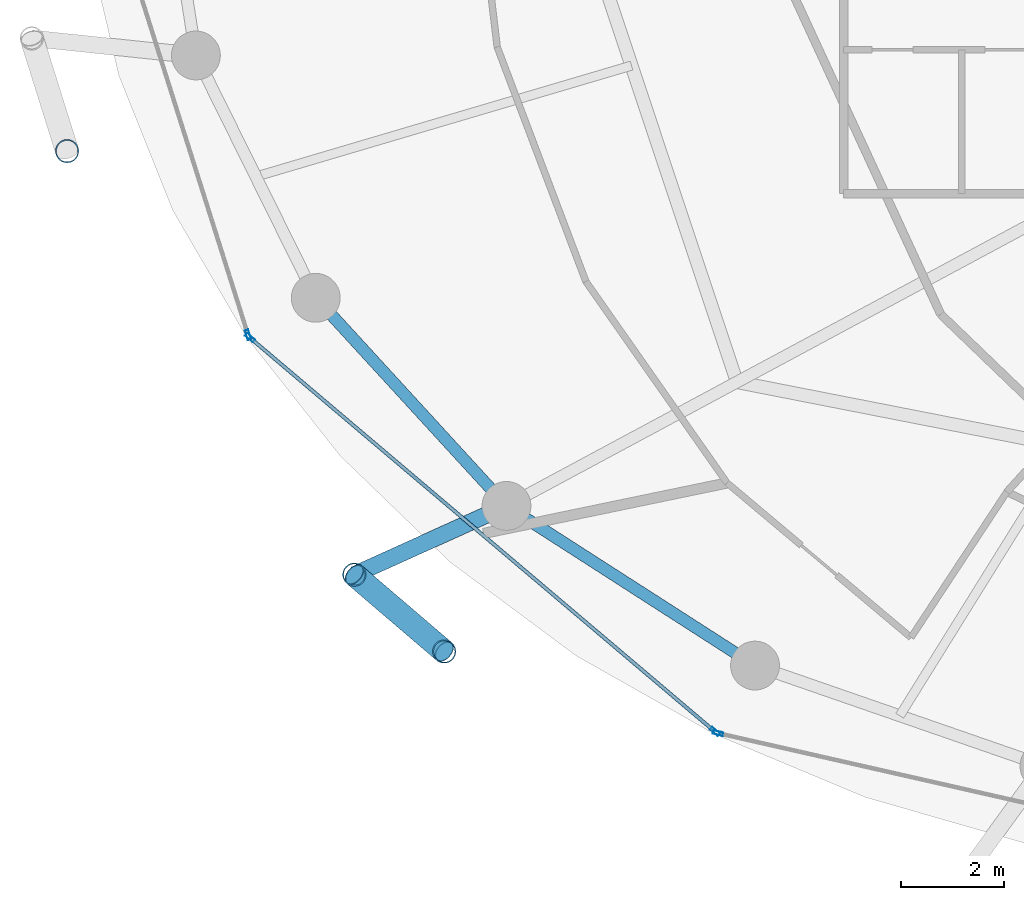
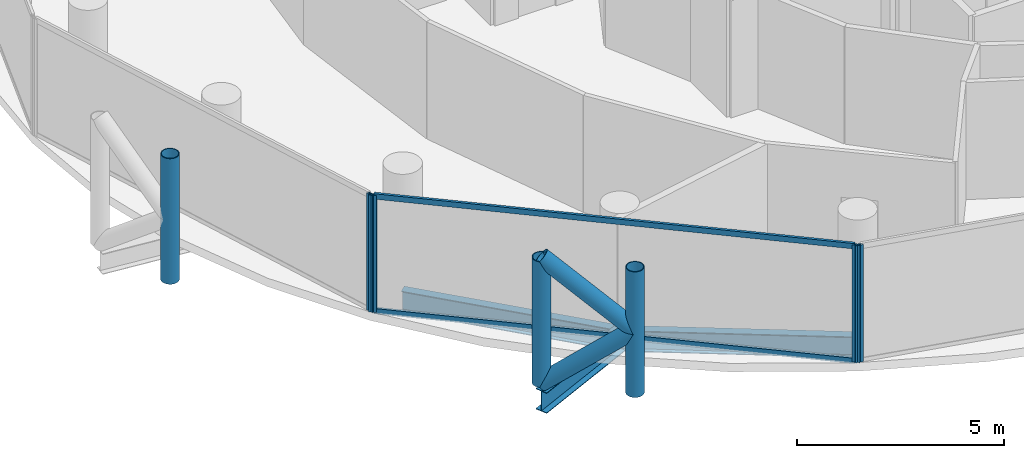
# One storey, part 2 of 26: 11 members, 3 beams, 3 elements without a shape of their own.
"""IFC4 building model written with IfcOpenShell, lengths in metres."""

import ifcopenshell
import ifcopenshell.guid

model = None  # the IFC model being written
_history = None  # IfcOwnerHistory: only IFC2X3 demands one
_inside = {}  # id of a spatial element -> (the spatial element, [elements in it])
_under = {}  # id of a project, library or spatial element -> (it, [spatial elements below it])
_declared = {}  # id of a project -> (the project, [libraries it declares])
_typed = {}  # id of a type object -> (the type object, [elements of that type])
_made_of = {}  # id of a material, layer set ... -> (it, [elements and type objects made of it])


def new_model(schema):
    """Start an empty IFC model of exactly this schema.

    Asked for "IFC4X3", IfcOpenShell would pick the latest addendum, in which some entities
    have other attributes; the version numbers below select the first issue.
    IFC2X3 requires an IfcOwnerHistory on every rooted entity: one is made here for all.
    """
    global model, _history
    if schema == "IFC4X3":
        model = ifcopenshell.file(schema_version=(4, 3, 0, 0))
    else:
        model = ifcopenshell.file(schema=schema)
    _inside.clear()
    _under.clear()
    _declared.clear()
    _typed.clear()
    _made_of.clear()
    _history = None
    if model.schema == "IFC2X3":
        org = make("IfcOrganization", Name="unknown")
        user = make(
            "IfcPersonAndOrganization",
            ThePerson=make("IfcPerson", FamilyName="unknown"),
            TheOrganization=org,
        )
        app = make(
            "IfcApplication",
            ApplicationDeveloper=org,
            Version="unknown",
            ApplicationFullName="unknown",
            ApplicationIdentifier="unknown",
        )
        _history = make(
            "IfcOwnerHistory",
            OwningUser=user,
            OwningApplication=app,
            ChangeAction="ADDED",
            CreationDate=0,
        )
    return model


def make(cls, **values):
    """One entity of the class cls with the attributes given. An attribute that is None is left unset."""
    return model.create_entity(
        cls, **{name: value for name, value in values.items() if value is not None}
    )


def rooted(cls, **values):
    """An entity with a GlobalId (a new one), such as an element, a storey or a relation."""
    return make(cls, GlobalId=ifcopenshell.guid.new(), OwnerHistory=_history, **values)


def si_unit(unit_type, name, prefix=None):
    """IfcSIUnit, for example si_unit("LENGTHUNIT", "METRE", prefix="MILLI")."""
    return make("IfcSIUnit", UnitType=unit_type, Prefix=prefix, Name=name)


def assignment(units):
    """IfcUnitAssignment: the units of a project."""
    return None if units is None else make("IfcUnitAssignment", Units=units)


def point(xyz):
    """IfcCartesianPoint."""
    return None if xyz is None else make("IfcCartesianPoint", Coordinates=xyz)


def direction(xyz):
    """IfcDirection."""
    return None if xyz is None else make("IfcDirection", DirectionRatios=xyz)


def frame(location, z_axis=None, x_axis=None):
    """IfcAxis2Placement3D, a coordinate frame: its origin and axes. An axis left out is left unset."""
    return make(
        "IfcAxis2Placement3D",
        Location=point(location),
        Axis=direction(z_axis),
        RefDirection=direction(x_axis),
    )


def frame_2d(location, x_axis=None):
    """IfcAxis2Placement2D, a coordinate frame in the plane: its origin and x axis."""
    return make(
        "IfcAxis2Placement2D", Location=point(location), RefDirection=direction(x_axis)
    )


def origin():
    """The frame at (0, 0, 0) with its axes left unset."""
    return frame((0.0, 0.0, 0.0))


def origin_2d():
    """The frame at (0, 0) in the plane with its x axis left unset."""
    return frame_2d((0.0, 0.0))


def place(relative_to, where):
    """IfcLocalPlacement: puts the frame where relative to a parent placement (None: the world)."""
    return make(
        "IfcLocalPlacement", PlacementRelTo=relative_to, RelativePlacement=where
    )


def context(
    kind, dimensions, precision=None, world=None, true_north=None, identifier=None
):
    """IfcGeometricRepresentationContext, for example the 3D "Model" context."""
    return make(
        "IfcGeometricRepresentationContext",
        ContextIdentifier=identifier,
        ContextType=kind,
        CoordinateSpaceDimension=dimensions,
        Precision=precision,
        WorldCoordinateSystem=world,
        TrueNorth=true_north,
    )


def subcontext(parent, identifier, kind, view, scale=None):
    """IfcGeometricRepresentationSubContext, for example "Body" below "Model"."""
    return make(
        "IfcGeometricRepresentationSubContext",
        ContextIdentifier=identifier,
        ContextType=kind,
        ParentContext=parent,
        TargetScale=scale,
        TargetView=view,
    )


def project(units=None, contexts=None):
    """IfcProject with its units and contexts."""
    return rooted(
        "IfcProject",
        Name="project",
        RepresentationContexts=contexts,
        UnitsInContext=assignment(units),
    )


def spatial(cls, under=None, at=None, **own):
    """A site, building, storey or space (cls), placed at a placement, below another one or the project."""
    s = rooted(cls, ObjectPlacement=at, **own)
    if under is not None:
        _under.setdefault(under.id(), (under, []))[1].append(s)
    return s


def profile(cls, at=None, kind="AREA", **sizes):
    """A parametric profile (cls). Its sizes go by their IFC names, for example OverallWidth=200.0."""
    return make(cls, ProfileType=kind, Position=at, **sizes)


def hollow_rectangle(**sizes):
    """IfcRectangleHollowProfileDef."""
    return profile("IfcRectangleHollowProfileDef", **sizes)


def hollow_circle(**sizes):
    """IfcCircleHollowProfileDef."""
    return profile("IfcCircleHollowProfileDef", **sizes)


def i_section(**sizes):
    """IfcIShapeProfileDef."""
    return profile("IfcIShapeProfileDef", **sizes)


def extrude(swept, where, along, depth):
    """IfcExtrudedAreaSolid: the profile swept, set in the frame where, extruded along a direction by depth."""
    return make(
        "IfcExtrudedAreaSolid",
        SweptArea=swept,
        Position=where,
        ExtrudedDirection=direction(along),
        Depth=depth,
    )


def shape(context_of_items, identifier, shape_type, items):
    """IfcShapeRepresentation: the items that make up one representation, for example the "Body"."""
    return make(
        "IfcShapeRepresentation",
        ContextOfItems=context_of_items,
        RepresentationIdentifier=identifier,
        RepresentationType=shape_type,
        Items=items,
    )


def material(Name=None, Category=None):
    """IfcMaterial."""
    return make("IfcMaterial", Name=Name, Category=Category)


def layer(
    of_material, thickness, ventilated=None, Name=None, Category=None, Priority=None
):
    """IfcMaterialLayer: one layer of a wall or slab, of a material (None: an air gap)."""
    return make(
        "IfcMaterialLayer",
        Material=of_material,
        LayerThickness=thickness,
        IsVentilated=ventilated,
        Name=Name,
        Category=Category,
        Priority=Priority,
    )


def layer_set(layers, Name=None):
    """IfcMaterialLayerSet."""
    return make("IfcMaterialLayerSet", MaterialLayers=layers, LayerSetName=Name)


def material_profile(
    of_material, cross_section, Name=None, Category=None, Priority=None
):
    """IfcMaterialProfile: a cross section and its material."""
    return make(
        "IfcMaterialProfile",
        Name=Name,
        Material=of_material,
        Profile=cross_section,
        Priority=Priority,
        Category=Category,
    )


def profile_set(profiles, Name=None, composite=None):
    """IfcMaterialProfileSet."""
    return make(
        "IfcMaterialProfileSet",
        Name=Name,
        MaterialProfiles=profiles,
        CompositeProfile=composite,
    )


def made_of(thing, what):
    """Note that an element or type object is made of a material, layer set ...; save() writes the relation."""
    if what is not None:
        _made_of.setdefault(what.id(), (what, []))[1].append(thing)
    return thing


def type_object(cls, material=None, **own):
    """A type object (cls), such as IfcWallType, which elements share."""
    return made_of(rooted(cls, **own), material)


def element(
    cls,
    number,
    at=None,
    inside=None,
    cuts=None,
    type_object=None,
    material=None,
    context=None,
    identifier="Body",
    shape_type=None,
    held_by="IfcProductDefinitionShape",
    body=None,
    shapes=None,
    **own,
):
    """One element of the class cls, such as IfcWall. Its Tag is "e" and its number.

    at: its placement. inside: the storey or other place that contains it. cuts: it is an
    opening in that element (IfcRelVoidsElement). A single representation is given by context,
    identifier, shape_type and body (its items); several are given by shapes. held_by: the class
    of the entity that holds the representations. save() writes the other relations.
    """
    e = rooted(cls, Tag="e%d" % number, ObjectPlacement=at, **own)
    if body is not None:
        shapes = [shape(context, identifier, shape_type, body)]
    if shapes is not None:
        e.Representation = make(held_by, Representations=shapes)
    if inside is not None:
        _inside.setdefault(inside.id(), (inside, []))[1].append(e)
    if cuts is not None:
        rooted(
            "IfcRelVoidsElement", RelatingBuildingElement=cuts, RelatedOpeningElement=e
        )
    if type_object is not None:
        _typed.setdefault(type_object.id(), (type_object, []))[1].append(e)
    return made_of(e, material)


def aggregate(whole, parts):
    """IfcRelAggregates: a whole, such as a stair, and the parts it consists of."""
    return rooted("IfcRelAggregates", RelatingObject=whole, RelatedObjects=parts)


def save(model, path):
    """Write the relations noted so far, then the file.

    IfcRelAggregates (storeys below a building ...), IfcRelContainedInSpatialStructure (elements
    in a storey), IfcRelDefinesByType, IfcRelAssociatesMaterial and IfcRelDeclares: one each for
    every whole, place, type object, material and project.
    """
    for whole, parts in _under.values():
        aggregate(whole, parts)
    for where, things in _inside.values():
        rooted(
            "IfcRelContainedInSpatialStructure",
            RelatedElements=things,
            RelatingStructure=where,
        )
    for kind, things in _typed.values():
        rooted("IfcRelDefinesByType", RelatedObjects=things, RelatingType=kind)
    for what, things in _made_of.values():
        rooted("IfcRelAssociatesMaterial", RelatedObjects=things, RelatingMaterial=what)
    for by, libraries in _declared.values():
        rooted("IfcRelDeclares", RelatingContext=by, RelatedDefinitions=libraries)
    model.write(path)


model = new_model("IFC4")

# Units and contexts
model_context = context("Model", 3, precision=1e-05, world=origin(), true_north=direction((0.0, 1.0)))
body_context = subcontext(model_context, "Body", "Model", "MODEL_VIEW")
ifc_project = project(units=[si_unit("LENGTHUNIT", "METRE"), si_unit("AREAUNIT", "SQUARE_METRE"), si_unit("VOLUMEUNIT", "CUBIC_METRE"), si_unit("PLANEANGLEUNIT", "RADIAN"), si_unit("MASSUNIT", "GRAM", prefix="KILO")], contexts=[model_context])

# Site, building, storey
site_placement = place(None, origin())
site = spatial("IfcSite", under=ifc_project, at=site_placement, CompositionType="ELEMENT")
building_placement = place(site_placement, origin())
building = spatial("IfcBuilding", under=site, at=building_placement, Name="Nuhasar Tower", CompositionType="ELEMENT")
storey_placement = place(building_placement, frame((0.0, 0.0, 166.35009765625)))
storey = spatial("IfcBuildingStorey", under=building, at=storey_placement, Name="L40", CompositionType="ELEMENT", Elevation=166.35009765625)

# Beams
ifc_material_1 = material(Name="Steel S355", Category="steel")
ifc_material_profile_1 = material_profile(ifc_material_1, i_section(OverallWidth=0.22998046875, OverallDepth=0.616943359375, WebThickness=0.01318359375, FlangeThickness=0.022216796875, at=origin_2d()), Name="W24X94")
ifc_profile_set_1 = profile_set([ifc_material_profile_1], Name="Steel S355")
beam_type_1 = type_object("IfcBeamType", Name="BM-RING-W24X94", PredefinedType="SPANDREL", material=ifc_profile_set_1)
beam_1_placement = place(storey_placement, frame((18.778076171875, 17.02490234375, -0.55908203125), z_axis=(0.675676316545, -0.737198423262, 0.0), x_axis=(0.737198423262, 0.675676316545, 0.0)))
element("IfcBeam", 1, at=beam_1_placement, inside=storey, type_object=beam_type_1, Name="L40 Perimeter Ring Spandrel 15", PredefinedType="SPANDREL", context=body_context, shape_type="SweptSolid", body=[
    extrude(i_section(OverallWidth=0.22998046875, OverallDepth=0.616943359375, WebThickness=0.01318359375, FlangeThickness=0.022216796875, at=origin_2d()), origin(), (0.0, 0.0, 1.0), 5.4921875),
])
beam_2_placement = place(storey_placement, frame((22.489013671875, 12.97607421875, -0.55908203125), z_axis=(0.841308170616, -0.540555789955, 0.0), x_axis=(0.540555789955, 0.841308170616, 0.0)))
element("IfcBeam", 2, at=beam_2_placement, inside=storey, type_object=beam_type_1, Name="L40 Perimeter Ring Spandrel 16", PredefinedType="SPANDREL", context=body_context, shape_type="SweptSolid", body=[
    extrude(i_section(OverallWidth=0.22998046875, OverallDepth=0.616943359375, WebThickness=0.01318359375, FlangeThickness=0.022216796875, at=origin_2d()), origin(), (0.0, 0.0, 1.0), 5.748046875),
])
ifc_material_profile_2 = material_profile(ifc_material_1, i_section(OverallWidth=0.323974609375, OverallDepth=0.611083984375, WebThickness=0.0126953125, FlangeThickness=0.01904296875, at=origin_2d()), Name="W24X104")
ifc_profile_set_2 = profile_set([ifc_material_profile_2], Name="Steel S355")
beam_type_2 = type_object("IfcBeamType", Name="BM-TIE-W24X104", PredefinedType="BEAM", material=ifc_profile_set_2)
beam_3_placement = place(storey_placement, frame((22.489013671875, 12.97607421875, -0.55615234375), z_axis=(-0.911211381786, -0.411939094653, 0.0), x_axis=(0.411939094653, -0.911211381786, 0.0)))
element("IfcBeam", 3, at=beam_3_placement, inside=storey, type_object=beam_type_2, Name="L40 Exoskeleton Node Tie Beam 08", PredefinedType="BEAM", context=body_context, shape_type="SweptSolid", body=[
    extrude(i_section(OverallWidth=0.323974609375, OverallDepth=0.611083984375, WebThickness=0.0126953125, FlangeThickness=0.01904296875, at=origin_2d()), origin(), (0.0, 0.0, 1.0), 3.248291015625),
])

# Curtain wall, member
ifc_material_2 = material(Name="Aluminium 6063-T6", Category="aluminium")
ifc_layer = layer(ifc_material_2, 0.199951171875)
ifc_layer_set = layer_set([ifc_layer], Name="Aluminium 6063-T6")
curtain_wall_type = type_object("IfcCurtainWallType", Name="CW-Z2-HTL", PredefinedType="NOTDEFINED", material=ifc_layer_set)
curtain_wall_1_placement = place(storey_placement, origin())
curtain_wall_1 = element("IfcCurtainWall", 4, at=curtain_wall_1_placement, inside=storey, type_object=curtain_wall_type, Name="L40 Unitised Curtain Wall 07", PredefinedType="NOTDEFINED")
ifc_material_profile_3 = material_profile(ifc_material_2, hollow_rectangle(XDim=0.070068359375, YDim=0.199951171875, WallThickness=0.0048828125, at=origin_2d()), Name="CWM-3")
ifc_profile_set_3 = profile_set([ifc_material_profile_3], Name="Aluminium 6063-T6")
member_type_1 = type_object("IfcMemberType", Name="CW-MUL-S3", PredefinedType="MULLION", material=ifc_profile_set_3)
member_1_placement = place(storey_placement, frame((17.46044921875, 16.303466796875, 0.0), z_axis=(0.0, 0.0, 1.0), x_axis=(0.953433389233, 0.301603667577, 0.0)))
member_1 = element("IfcMember", 5, at=member_1_placement, type_object=member_type_1, Name="CW-Z2 mullion 2", PredefinedType="MULLION", context=body_context, shape_type="SweptSolid", body=[
    extrude(hollow_rectangle(XDim=0.070068359375, YDim=0.199951171875, WallThickness=0.0048828125, at=origin_2d()), origin(), (0.0, 0.0, 1.0), 3.449951171875),
])
aggregate(curtain_wall_1, [member_1])

# Curtain wall, members
curtain_wall_2_placement = place(storey_placement, origin())
curtain_wall_2 = element("IfcCurtainWall", 6, at=curtain_wall_2_placement, inside=storey, type_object=curtain_wall_type, Name="L40 Unitised Curtain Wall 08", PredefinedType="NOTDEFINED")
member_2_placement = place(storey_placement, frame((17.497802734375, 16.247314453125, 0.0), z_axis=(0.0, 0.0, 1.0), x_axis=(0.646374438324, 0.763020370292, 0.0)))
member_2 = element("IfcMember", 7, at=member_2_placement, type_object=member_type_1, Name="CW-Z2 mullion 1", PredefinedType="MULLION", context=body_context, shape_type="SweptSolid", body=[
    extrude(hollow_rectangle(XDim=0.070068359375, YDim=0.199951171875, WallThickness=0.0048828125, at=origin_2d()), origin(), (0.0, 0.0, 1.0), 3.449951171875),
])
member_3_placement = place(storey_placement, frame((26.543212890625, 8.584716796875, 0.0), z_axis=(0.0, 0.0, 1.0), x_axis=(0.646374438324, 0.763020370292, 0.0)))
member_3 = element("IfcMember", 8, at=member_3_placement, type_object=member_type_1, Name="CW-Z2 mullion 2", PredefinedType="MULLION", context=body_context, shape_type="SweptSolid", body=[
    extrude(hollow_rectangle(XDim=0.070068359375, YDim=0.199951171875, WallThickness=0.0048828125, at=origin_2d()), origin(), (0.0, 0.0, 1.0), 3.449951171875),
])

# Curtain wall, member
curtain_wall_3_placement = place(storey_placement, origin())
curtain_wall_3 = element("IfcCurtainWall", 9, at=curtain_wall_3_placement, inside=storey, type_object=curtain_wall_type, Name="L40 Unitised Curtain Wall 09", PredefinedType="NOTDEFINED")
member_4_placement = place(storey_placement, frame((26.604248046875, 8.55419921875, 0.0), z_axis=(0.0, 0.0, 1.0), x_axis=(0.22139729566, 0.975183694221, 0.0)))
member_4 = element("IfcMember", 10, at=member_4_placement, type_object=member_type_1, Name="CW-Z2 mullion 1", PredefinedType="MULLION", context=body_context, shape_type="SweptSolid", body=[
    extrude(hollow_rectangle(XDim=0.070068359375, YDim=0.199951171875, WallThickness=0.0048828125, at=origin_2d()), origin(), (0.0, 0.0, 1.0), 3.449951171875),
])
aggregate(curtain_wall_3, [member_4])

# Member
ifc_material_profile_4 = material_profile(ifc_material_2, hollow_rectangle(XDim=0.070068359375, YDim=0.159912109375, WallThickness=0.00439453125, at=origin_2d()), Name="CWT-3")
ifc_profile_set_4 = profile_set([ifc_material_profile_4], Name="Aluminium 6063-T6")
member_type_2 = type_object("IfcMemberType", Name="CW-TRN-S3", PredefinedType="USERDEFINED", material=ifc_profile_set_4)
member_5_placement = place(storey_placement, frame((17.5244140625, 16.224853515625, 0.034912109375), z_axis=(0.763013698099, -0.646382314511, 0.0), x_axis=(0.646382314511, 0.763013698099, 0.0)))
member_5 = element("IfcMember", 11, at=member_5_placement, type_object=member_type_2, Name="CW-Z2 transom 1.1", ObjectType="TRANSOM", PredefinedType="USERDEFINED", context=body_context, shape_type="SweptSolid", body=[
    extrude(hollow_rectangle(XDim=0.070068359375, YDim=0.159912109375, WallThickness=0.00439453125, at=origin_2d()), origin(), (0.0, 0.0, 1.0), 11.78515625),
])

member_6_placement = place(storey_placement, frame((17.5244140625, 16.224853515625, 3.414794921875), z_axis=(0.763013698099, -0.646382314511, 0.0), x_axis=(0.646382314511, 0.763013698099, 0.0)))
member_6 = element("IfcMember", 12, at=member_6_placement, type_object=member_type_2, Name="CW-Z2 transom 1.2", ObjectType="TRANSOM", PredefinedType="USERDEFINED", context=body_context, shape_type="SweptSolid", body=[
    extrude(hollow_rectangle(XDim=0.070068359375, YDim=0.159912109375, WallThickness=0.00439453125, at=origin_2d()), origin(), (0.0, 0.0, 1.0), 11.78515625),
])

aggregate(curtain_wall_2, [member_2, member_3, member_5, member_6])

# Members
ifc_material_3 = material(Name="Steel S460", Category="steel")
ifc_material_profile_5 = material_profile(ifc_material_3, hollow_circle(Radius=0.228515625, WallThickness=0.022216796875, at=origin_2d()), Name="HSS457X22.2")
ifc_profile_set_5 = profile_set([ifc_material_profile_5], Name="Steel S460")
member_type_3 = type_object("IfcMemberType", Name="EXO-BRONZE-457", PredefinedType="BRACE", material=ifc_profile_set_5)
for number, where, z_axis, x_axis, name in (
    (13, (13.93994140625, 19.87890625, 0.0), (0.0, 0.0, 1.0), (1.0, 0.0, 0.0), "L40 Exoskeleton Chord Column EC-07B"),
    (14, (19.529052734375, 11.637939453125, 0.0), (0.0, 0.0, 1.0), (1.0, 0.0, 0.0), "L40 Exoskeleton Chord Column EC-08A"),
    (15, (21.277099609375, 10.14306640625, 0.0), (0.0, 0.0, 1.0), (1.0, 0.0, 0.0), "L40 Exoskeleton Chord Column EC-08B"),
):
    element("IfcMember", number, at=place(storey_placement, frame(where, z_axis=z_axis, x_axis=x_axis)), inside=storey, type_object=member_type_3, Name=name, PredefinedType="BRACE", context=body_context, shape_type="SweptSolid", body=[
        extrude(hollow_circle(Radius=0.228515625, WallThickness=0.022216796875, at=origin_2d()), origin(), (0.0, 0.0, 1.0), 3.699951171875),
    ])
member_7_placement = place(storey_placement, frame((19.529052734375, 11.637939453125, 0.0), z_axis=(0.592225874743, -0.506452378638, 0.626717242029), x_axis=(0.649925557156, 0.7599978751, 0.0)))
element("IfcMember", 16, at=member_7_placement, inside=storey, type_object=member_type_3, Name="L40 Bronze Diagrid Brace W1-08", PredefinedType="BRACE", context=body_context, shape_type="SweptSolid", body=[
    extrude(hollow_circle(Radius=0.228515625, WallThickness=0.022216796875, at=origin_2d()), origin(), (0.0, 0.0, 1.0), 2.95166015625),
])
member_8_placement = place(storey_placement, frame((21.277099609375, 10.14306640625, 1.849853515625), z_axis=(-0.592195175458, 0.506426125604, 0.626767463634), x_axis=(-0.649925557156, -0.7599978751, 0.0)))
element("IfcMember", 17, at=member_8_placement, inside=storey, type_object=member_type_3, Name="L40 Bronze Diagrid Brace W2-08", PredefinedType="BRACE", context=body_context, shape_type="SweptSolid", body=[
    extrude(hollow_circle(Radius=0.228515625, WallThickness=0.022216796875, at=origin_2d()), origin(), (0.0, 0.0, 1.0), 2.951904296875),
])

save(model, "model.ifc")
